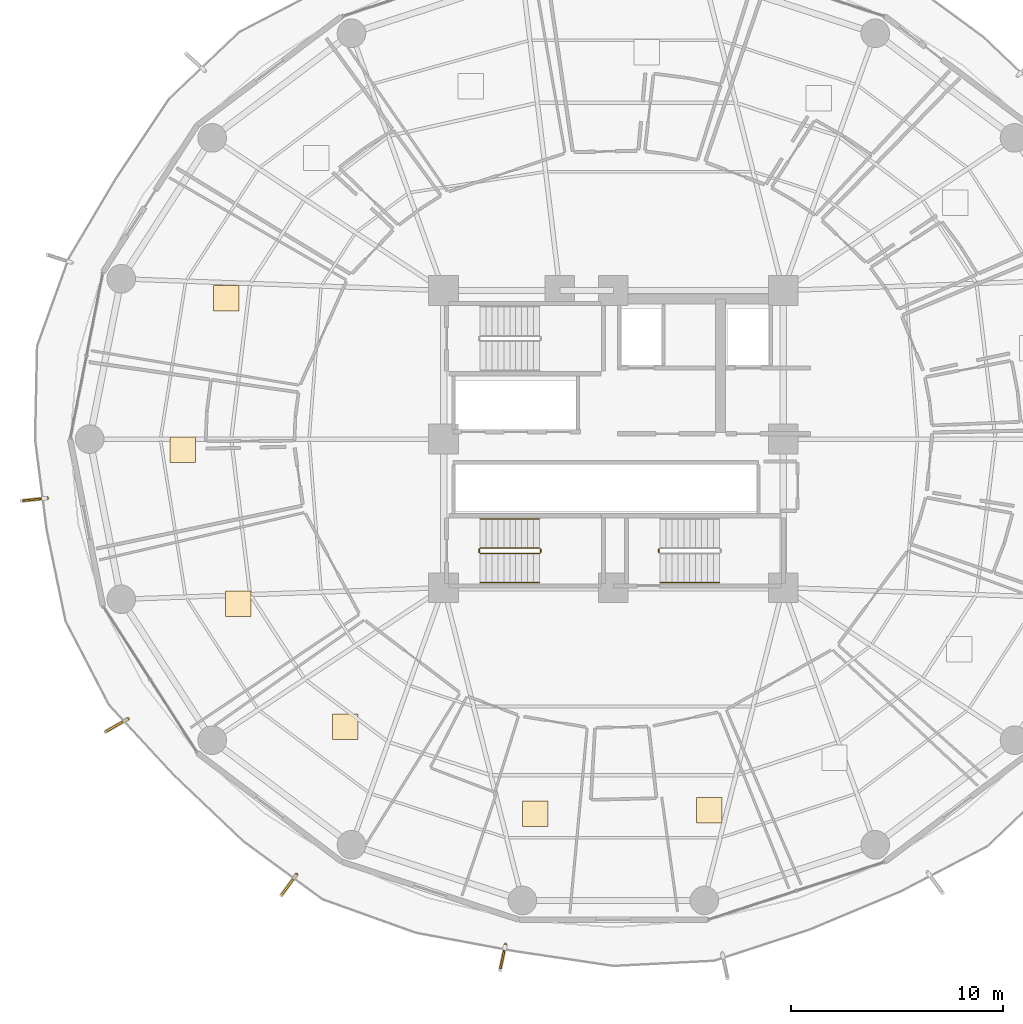
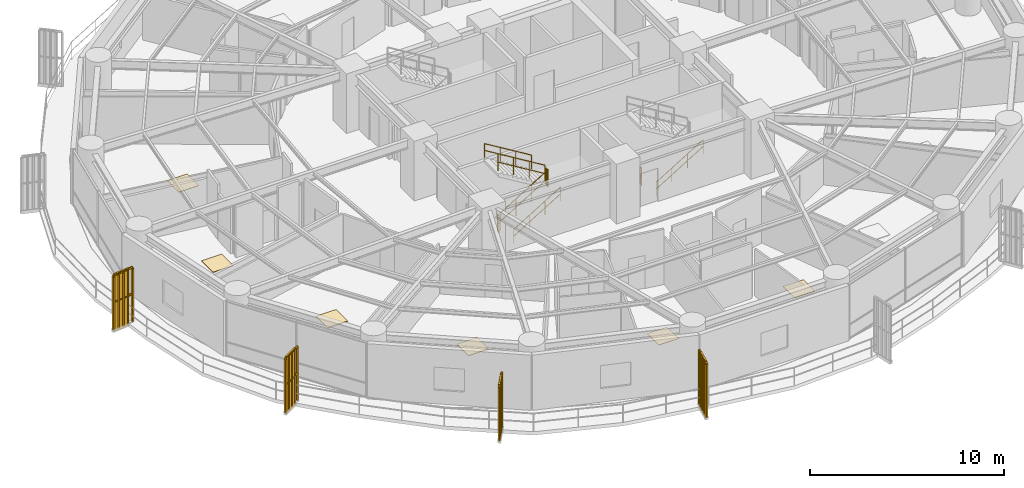
# One storey, part 32 of 35: 12 railings, 6 coverings, 4 shading devices.
"""IFC4 building model written with IfcOpenShell, lengths in metres."""

from ifc_helpers import new_model, si_unit, direction, frame, origin, origin_2d, place, context, subcontext, project, spatial, polyline, rectangle, outline, extrude, source, transform, mapped, material, layer, layer_set, type_object, element, save


model = new_model("IFC4")

# Units and contexts
model_context = context("Model", 3, precision=1e-05, world=origin(), true_north=direction((0.0, 1.0)))
body_context = subcontext(model_context, "Body", "Model", "MODEL_VIEW")
ifc_project = project(units=[si_unit("LENGTHUNIT", "METRE"), si_unit("AREAUNIT", "SQUARE_METRE"), si_unit("VOLUMEUNIT", "CUBIC_METRE"), si_unit("PLANEANGLEUNIT", "RADIAN"), si_unit("MASSUNIT", "GRAM", prefix="KILO")], contexts=[model_context])

# Site, building, storey
site_placement = place(None, origin())
site = spatial("IfcSite", under=ifc_project, at=site_placement, CompositionType="ELEMENT")
building_placement = place(site_placement, origin())
building = spatial("IfcBuilding", under=site, at=building_placement, Name="Kelanora Arch Commons", CompositionType="ELEMENT")
storey_placement = place(building_placement, frame((0.0, 0.0, 91.35009765625)))
storey = spatial("IfcBuildingStorey", under=building, at=storey_placement, Name="L23", CompositionType="ELEMENT", Elevation=91.35009765625)

# Railings
ifc_material_1 = material(Name="Anodised bronze vertical shading fin rib assembly")
railing_type_1 = type_object("IfcRailingType", Name="RAIL-FIN-BRZ", PredefinedType="BALUSTRADE", material=ifc_material_1)
railing_1_placement = place(storey_placement, frame((47.325927734375, 55.21630859375, -0.02001953125)))
element("IfcRailing", 1, at=railing_1_placement, inside=storey, type_object=railing_type_1, Name="Sweeping Bronze Vertical Fin Blade L23-06", PredefinedType="BALUSTRADE", context=body_context, shape_type="SweptSolid", body=[
    extrude(outline(polyline([(0.06982421875, 0.0), (0.034912109375, 0.060546875), (-0.034912109375, 0.060546875), (-0.06982421875, 0.0), (-0.034912109375, -0.060546875), (0.034912109375, -0.060546875), (0.06982421875, 0.0)])), frame((0.0, 0.0, 3.419921875), z_axis=(-0.994585562629, -0.103920924794, 0.0), x_axis=(0.103920924794, -0.994585562629, 0.0)), (0.0, 0.0, 1.0), 1.214599609375),
    extrude(outline(polyline([(0.06982421875, 0.0), (0.034912109375, 0.060546875), (-0.034912109375, 0.060546875), (-0.06982421875, 0.0), (-0.034912109375, -0.060546875), (0.034912109375, -0.060546875), (0.06982421875, 0.0)])), frame((0.0, 0.0, 1.7451171875), z_axis=(-0.994585562629, -0.103920924794, 0.0), x_axis=(0.103920924794, -0.994585562629, 0.0)), (0.0, 0.0, 1.0), 1.214599609375),
    extrude(outline(polyline([(0.080078125, 0.0), (0.0400390625, 0.0693359375), (-0.0400390625, 0.0693359375), (-0.080078125, 0.0), (-0.0400390625, -0.0693359375), (0.0400390625, -0.0693359375), (0.080078125, 0.0)])), origin(), (0.0, 0.0, 1.0), 3.35009765625),
    extrude(outline(polyline([(0.080078125, 0.0), (0.0400390625, 0.0693359375), (-0.0400390625, 0.0693359375), (-0.080078125, 0.0), (-0.0400390625, -0.0693359375), (0.0400390625, -0.0693359375), (0.080078125, 0.0)])), frame((-0.302001953125, -0.031494140625, 0.0)), (0.0, 0.0, 1.0), 3.35009765625),
    extrude(outline(polyline([(0.080078125, 0.0), (0.0400390625, 0.0693359375), (-0.0400390625, 0.0693359375), (-0.080078125, 0.0), (-0.0400390625, -0.0693359375), (0.0400390625, -0.0693359375), (0.080078125, 0.0)])), frame((-0.60400390625, -0.06298828125, 0.0)), (0.0, 0.0, 1.0), 3.35009765625),
    extrude(outline(polyline([(0.080078125, 0.0), (0.0400390625, 0.0693359375), (-0.0400390625, 0.0693359375), (-0.080078125, 0.0), (-0.0400390625, -0.0693359375), (0.0400390625, -0.0693359375), (0.080078125, 0.0)])), frame((-0.906005859375, -0.0947265625, 0.0)), (0.0, 0.0, 1.0), 3.35009765625),
    extrude(outline(polyline([(0.080078125, 0.0), (0.0400390625, 0.0693359375), (-0.0400390625, 0.0693359375), (-0.080078125, 0.0), (-0.0400390625, -0.0693359375), (0.0400390625, -0.0693359375), (0.080078125, 0.0)])), frame((-1.2080078125, -0.126220703125, 0.0)), (0.0, 0.0, 1.0), 3.35009765625),
])
railing_2_placement = place(storey_placement, frame((51.12939453125, 44.818115234375, -0.02001953125)))
element("IfcRailing", 2, at=railing_2_placement, inside=storey, type_object=railing_type_1, Name="Sweeping Bronze Vertical Fin Blade L23-07", PredefinedType="BALUSTRADE", context=body_context, shape_type="SweptSolid", body=[
    extrude(outline(polyline([(0.06982421875, 0.0), (0.034912109375, 0.060546875), (-0.034912109375, 0.060546875), (-0.06982421875, 0.0), (-0.034912109375, -0.060546875), (0.034912109375, -0.060546875), (0.06982421875, 0.0)])), frame((0.0, 0.0, 3.419921875), z_axis=(-0.866319407706, -0.499490424165, 0.0), x_axis=(0.499490424165, -0.866319407706, 0.0)), (0.0, 0.0, 1.0), 1.214599609375),
    extrude(outline(polyline([(0.06982421875, 0.0), (0.034912109375, 0.060546875), (-0.034912109375, 0.060546875), (-0.06982421875, 0.0), (-0.034912109375, -0.060546875), (0.034912109375, -0.060546875), (0.06982421875, 0.0)])), frame((0.0, 0.0, 1.7451171875), z_axis=(-0.866319407706, -0.499490424165, 0.0), x_axis=(0.499490424165, -0.866319407706, 0.0)), (0.0, 0.0, 1.0), 1.214599609375),
    extrude(outline(polyline([(0.080078125, 0.0), (0.0400390625, 0.0693359375), (-0.0400390625, 0.0693359375), (-0.080078125, 0.0), (-0.0400390625, -0.0693359375), (0.0400390625, -0.0693359375), (0.080078125, 0.0)])), origin(), (0.0, 0.0, 1.0), 3.35009765625),
    extrude(outline(polyline([(0.080078125, 0.0), (0.0400390625, 0.0693359375), (-0.0400390625, 0.0693359375), (-0.080078125, 0.0), (-0.0400390625, -0.0693359375), (0.0400390625, -0.0693359375), (0.080078125, 0.0)])), frame((-0.26318359375, -0.151611328125, 0.0)), (0.0, 0.0, 1.0), 3.35009765625),
    extrude(outline(polyline([(0.080078125, 0.0), (0.0400390625, 0.0693359375), (-0.0400390625, 0.0693359375), (-0.080078125, 0.0), (-0.0400390625, -0.0693359375), (0.0400390625, -0.0693359375), (0.080078125, 0.0)])), frame((-0.526123046875, -0.30322265625, 0.0)), (0.0, 0.0, 1.0), 3.35009765625),
    extrude(outline(polyline([(0.080078125, 0.0), (0.0400390625, 0.0693359375), (-0.0400390625, 0.0693359375), (-0.080078125, 0.0), (-0.0400390625, -0.0693359375), (0.0400390625, -0.0693359375), (0.080078125, 0.0)])), frame((-0.7890625, -0.455078125, 0.0)), (0.0, 0.0, 1.0), 3.35009765625),
    extrude(outline(polyline([(0.080078125, 0.0), (0.0400390625, 0.0693359375), (-0.0400390625, 0.0693359375), (-0.080078125, 0.0), (-0.0400390625, -0.0693359375), (0.0400390625, -0.0693359375), (0.080078125, 0.0)])), frame((-1.05224609375, -0.606689453125, 0.0)), (0.0, 0.0, 1.0), 3.35009765625),
])
railing_3_placement = place(storey_placement, frame((59.072021484375, 37.48486328125, -0.02001953125)))
element("IfcRailing", 3, at=railing_3_placement, inside=storey, type_object=railing_type_1, Name="Sweeping Bronze Vertical Fin Blade L23-08", PredefinedType="BALUSTRADE", context=body_context, shape_type="SweptSolid", body=[
    extrude(outline(polyline([(0.06982421875, 0.0), (0.034912109375, 0.060546875), (-0.034912109375, 0.060546875), (-0.06982421875, 0.0), (-0.034912109375, -0.060546875), (0.034912109375, -0.060546875), (0.06982421875, 0.0)])), frame((0.0, 0.0, 3.419921875), z_axis=(-0.588327054403, -0.808623074774, 0.0), x_axis=(0.808623074774, -0.588327054403, 0.0)), (0.0, 0.0, 1.0), 1.214599609375),
    extrude(outline(polyline([(0.06982421875, 0.0), (0.034912109375, 0.060546875), (-0.034912109375, 0.060546875), (-0.06982421875, 0.0), (-0.034912109375, -0.060546875), (0.034912109375, -0.060546875), (0.06982421875, 0.0)])), frame((0.0, 0.0, 1.7451171875), z_axis=(-0.588327054403, -0.808623074774, 0.0), x_axis=(0.808623074774, -0.588327054403, 0.0)), (0.0, 0.0, 1.0), 1.214599609375),
    extrude(outline(polyline([(0.080078125, 0.0), (0.0400390625, 0.0693359375), (-0.0400390625, 0.0693359375), (-0.080078125, 0.0), (-0.0400390625, -0.0693359375), (0.0400390625, -0.0693359375), (0.080078125, 0.0)])), origin(), (0.0, 0.0, 1.0), 3.35009765625),
    extrude(outline(polyline([(0.080078125, 0.0), (0.0400390625, 0.0693359375), (-0.0400390625, 0.0693359375), (-0.080078125, 0.0), (-0.0400390625, -0.0693359375), (0.0400390625, -0.0693359375), (0.080078125, 0.0)])), frame((-0.1787109375, -0.24560546875, 0.0)), (0.0, 0.0, 1.0), 3.35009765625),
    extrude(outline(polyline([(0.080078125, 0.0), (0.0400390625, 0.0693359375), (-0.0400390625, 0.0693359375), (-0.080078125, 0.0), (-0.0400390625, -0.0693359375), (0.0400390625, -0.0693359375), (0.080078125, 0.0)])), frame((-0.357421875, -0.4912109375, 0.0)), (0.0, 0.0, 1.0), 3.35009765625),
    extrude(outline(polyline([(0.080078125, 0.0), (0.0400390625, 0.0693359375), (-0.0400390625, 0.0693359375), (-0.080078125, 0.0), (-0.0400390625, -0.0693359375), (0.0400390625, -0.0693359375), (0.080078125, 0.0)])), frame((-0.535888671875, -0.736572265625, 0.0)), (0.0, 0.0, 1.0), 3.35009765625),
    extrude(outline(polyline([(0.080078125, 0.0), (0.0400390625, 0.0693359375), (-0.0400390625, 0.0693359375), (-0.080078125, 0.0), (-0.0400390625, -0.0693359375), (0.0400390625, -0.0693359375), (0.080078125, 0.0)])), frame((-0.714599609375, -0.982177734375, 0.0)), (0.0, 0.0, 1.0), 3.35009765625),
])
railing_4_placement = place(storey_placement, frame((68.91748046875, 34.175048828125, -0.02001953125)))
element("IfcRailing", 4, at=railing_4_placement, inside=storey, type_object=railing_type_1, Name="Sweeping Bronze Vertical Fin Blade L23-09", PredefinedType="BALUSTRADE", context=body_context, shape_type="SweptSolid", body=[
    extrude(outline(polyline([(0.06982421875, 0.0), (0.034912109375, 0.060546875), (-0.034912109375, 0.060546875), (-0.06982421875, 0.0), (-0.034912109375, -0.060546875), (0.034912109375, -0.060546875), (0.06982421875, 0.0)])), frame((0.0, 0.0, 3.419921875), z_axis=(-0.208471823833, -0.97802837314, 0.0), x_axis=(0.97802837314, -0.208471823833, 0.0)), (0.0, 0.0, 1.0), 1.21435546875),
    extrude(outline(polyline([(0.06982421875, 0.0), (0.034912109375, 0.060546875), (-0.034912109375, 0.060546875), (-0.06982421875, 0.0), (-0.034912109375, -0.060546875), (0.034912109375, -0.060546875), (0.06982421875, 0.0)])), frame((0.0, 0.0, 1.7451171875), z_axis=(-0.208471823833, -0.97802837314, 0.0), x_axis=(0.97802837314, -0.208471823833, 0.0)), (0.0, 0.0, 1.0), 1.21435546875),
    extrude(outline(polyline([(0.080078125, 0.0), (0.0400390625, 0.0693359375), (-0.0400390625, 0.0693359375), (-0.080078125, 0.0), (-0.0400390625, -0.0693359375), (0.0400390625, -0.0693359375), (0.080078125, 0.0)])), origin(), (0.0, 0.0, 1.0), 3.35009765625),
    extrude(outline(polyline([(0.080078125, 0.0), (0.0400390625, 0.0693359375), (-0.0400390625, 0.0693359375), (-0.080078125, 0.0), (-0.0400390625, -0.0693359375), (0.0400390625, -0.0693359375), (0.080078125, 0.0)])), frame((-0.063232421875, -0.296875, 0.0)), (0.0, 0.0, 1.0), 3.35009765625),
    extrude(outline(polyline([(0.080078125, 0.0), (0.0400390625, 0.0693359375), (-0.0400390625, 0.0693359375), (-0.080078125, 0.0), (-0.0400390625, -0.0693359375), (0.0400390625, -0.0693359375), (0.080078125, 0.0)])), frame((-0.12646484375, -0.59375, 0.0)), (0.0, 0.0, 1.0), 3.35009765625),
    extrude(outline(polyline([(0.080078125, 0.0), (0.0400390625, 0.0693359375), (-0.0400390625, 0.0693359375), (-0.080078125, 0.0), (-0.0400390625, -0.0693359375), (0.0400390625, -0.0693359375), (0.080078125, 0.0)])), frame((-0.18994140625, -0.890869140625, 0.0)), (0.0, 0.0, 1.0), 3.35009765625),
    extrude(outline(polyline([(0.080078125, 0.0), (0.0400390625, 0.0693359375), (-0.0400390625, 0.0693359375), (-0.080078125, 0.0), (-0.0400390625, -0.0693359375), (0.0400390625, -0.0693359375), (0.080078125, 0.0)])), frame((-0.253173828125, -1.187744140625, 0.0)), (0.0, 0.0, 1.0), 3.35009765625),
])
ifc_material_2 = material(Name="Painted steel stair well guard", Category="steel")
railing_type_2 = type_object("IfcRailingType", Name="RAIL-STAIR-GRD", PredefinedType="GUARDRAIL", material=ifc_material_2)
railing_5_placement = place(storey_placement, frame((76.14990234375, 52.659912109375, 0.0)))
element("IfcRailing", 5, at=railing_5_placement, inside=storey, type_object=railing_type_2, Name="L23 ST-T2 stair guard 4", PredefinedType="GUARDRAIL", context=body_context, shape_type="SweptSolid", body=[
    extrude(outline(polyline([(0.02392578125, 0.0), (0.011962890625, 0.020751953125), (-0.011962890625, 0.020751953125), (-0.02392578125, 0.0), (-0.011962890625, -0.020751953125), (0.011962890625, -0.020751953125), (0.02392578125, 0.0)])), frame((0.0, 0.0, 1.076171875), z_axis=(0.0, 1.0, 0.0), x_axis=(-1.0, 0.0, 0.0)), (0.0, 0.0, 1.0), 0.150146484375),
    extrude(outline(polyline([(0.02392578125, 0.0), (0.011962890625, 0.020751953125), (-0.011962890625, 0.020751953125), (-0.02392578125, 0.0), (-0.011962890625, -0.020751953125), (0.011962890625, -0.020751953125), (0.02392578125, 0.0)])), frame((0.0, 0.0, 0.550048828125), z_axis=(0.0, 1.0, 0.0), x_axis=(-1.0, 0.0, 0.0)), (0.0, 0.0, 1.0), 0.150146484375),
    extrude(outline(polyline([(0.02099609375, 0.0), (0.010498046875, 0.01806640625), (-0.010498046875, 0.01806640625), (-0.02099609375, 0.0), (-0.010498046875, -0.01806640625), (0.010498046875, -0.01806640625), (0.02099609375, 0.0)])), origin(), (0.0, 0.0, 1.0), 1.052001953125),
    extrude(outline(polyline([(0.02099609375, 0.0), (0.010498046875, 0.01806640625), (-0.010498046875, 0.01806640625), (-0.02099609375, 0.0), (-0.010498046875, -0.01806640625), (0.010498046875, -0.01806640625), (0.02099609375, 0.0)])), frame((0.0, 0.150146484375, 0.0)), (0.0, 0.0, 1.0), 1.052001953125),
])
railing_6_placement = place(storey_placement, frame((67.719970703125, 52.610107421875, 0.17041015625)))
element("IfcRailing", 6, at=railing_6_placement, inside=storey, type_object=railing_type_2, Name="L23 ST-T3 stair guard 1", PredefinedType="GUARDRAIL", context=body_context, shape_type="SweptSolid", body=[
    extrude(outline(polyline([(0.02392578125, 0.0), (0.011962890625, 0.020751953125), (-0.011962890625, 0.020751953125), (-0.02392578125, 0.0), (-0.011962890625, -0.020751953125), (0.011962890625, -0.020751953125), (0.02392578125, 0.0)])), frame((0.0, 0.0, 1.076171875), z_axis=(0.854169791009, 0.0, 0.51999420009), x_axis=(0.0, 1.0, 0.0)), (0.0, 0.0, 1.0), 3.278076171875),
    extrude(outline(polyline([(0.02392578125, 0.0), (0.011962890625, 0.020751953125), (-0.011962890625, 0.020751953125), (-0.02392578125, 0.0), (-0.011962890625, -0.020751953125), (0.011962890625, -0.020751953125), (0.02392578125, 0.0)])), frame((0.0, 0.0, 0.550048828125), z_axis=(0.854169791009, 0.0, 0.51999420009), x_axis=(0.0, 1.0, 0.0)), (0.0, 0.0, 1.0), 3.278076171875),
    extrude(outline(polyline([(0.02099609375, 0.0), (0.010498046875, 0.01806640625), (-0.010498046875, 0.01806640625), (-0.02099609375, 0.0), (-0.010498046875, -0.01806640625), (0.010498046875, -0.01806640625), (0.02099609375, 0.0)])), origin(), (0.0, 0.0, 1.0), 1.052001953125),
    extrude(outline(polyline([(0.02099609375, 0.0), (0.010498046875, 0.01806640625), (-0.010498046875, 0.01806640625), (-0.02099609375, 0.0), (-0.010498046875, -0.01806640625), (0.010498046875, -0.01806640625), (0.02099609375, 0.0)])), frame((0.933349609375, 0.0, 0.568115234375)), (0.0, 0.0, 1.0), 1.052001953125),
    extrude(outline(polyline([(0.02099609375, 0.0), (0.010498046875, 0.01806640625), (-0.010498046875, 0.01806640625), (-0.02099609375, 0.0), (-0.010498046875, -0.01806640625), (0.010498046875, -0.01806640625), (0.02099609375, 0.0)])), frame((1.86669921875, 0.0, 1.136474609375)), (0.0, 0.0, 1.0), 1.052001953125),
    extrude(outline(polyline([(0.02099609375, 0.0), (0.010498046875, 0.01806640625), (-0.010498046875, 0.01806640625), (-0.02099609375, 0.0), (-0.010498046875, -0.01806640625), (0.010498046875, -0.01806640625), (0.02099609375, 0.0)])), frame((2.800048828125, 0.0, 1.70458984375)), (0.0, 0.0, 1.0), 1.052001953125),
])
railing_7_placement = place(storey_placement, frame((70.570068359375, 52.659912109375, 1.875)))
element("IfcRailing", 7, at=railing_7_placement, inside=storey, type_object=railing_type_2, Name="L23 ST-T3 stair guard 2", PredefinedType="GUARDRAIL", context=body_context, shape_type="SweptSolid", body=[
    extrude(outline(polyline([(0.02392578125, 0.0), (0.011962890625, 0.020751953125), (-0.011962890625, 0.020751953125), (-0.02392578125, 0.0), (-0.011962890625, -0.020751953125), (0.011962890625, -0.020751953125), (0.02392578125, 0.0)])), frame((0.0, 0.0, 1.076171875), z_axis=(0.0, 1.0, 0.0), x_axis=(-1.0, 0.0, 0.0)), (0.0, 0.0, 1.0), 0.150146484375),
    extrude(outline(polyline([(0.02392578125, 0.0), (0.011962890625, 0.020751953125), (-0.011962890625, 0.020751953125), (-0.02392578125, 0.0), (-0.011962890625, -0.020751953125), (0.011962890625, -0.020751953125), (0.02392578125, 0.0)])), frame((0.0, 0.0, 0.550048828125), z_axis=(0.0, 1.0, 0.0), x_axis=(-1.0, 0.0, 0.0)), (0.0, 0.0, 1.0), 0.150146484375),
    extrude(outline(polyline([(0.02099609375, 0.0), (0.010498046875, 0.01806640625), (-0.010498046875, 0.01806640625), (-0.02099609375, 0.0), (-0.010498046875, -0.01806640625), (0.010498046875, -0.01806640625), (0.02099609375, 0.0)])), origin(), (0.0, 0.0, 1.0), 1.052001953125),
    extrude(outline(polyline([(0.02099609375, 0.0), (0.010498046875, 0.01806640625), (-0.010498046875, 0.01806640625), (-0.02099609375, 0.0), (-0.010498046875, -0.01806640625), (0.010498046875, -0.01806640625), (0.02099609375, 0.0)])), frame((0.0, 0.150146484375, 0.0)), (0.0, 0.0, 1.0), 1.052001953125),
])
railing_8_placement = place(storey_placement, frame((70.52001953125, 52.860107421875, 2.04541015625)))
element("IfcRailing", 8, at=railing_8_placement, inside=storey, type_object=railing_type_2, Name="L23 ST-T3 stair guard 3", PredefinedType="GUARDRAIL", context=body_context, shape_type="SweptSolid", body=[
    extrude(outline(polyline([(0.02392578125, 0.0), (0.011962890625, 0.020751953125), (-0.011962890625, 0.020751953125), (-0.02392578125, 0.0), (-0.011962890625, -0.020751953125), (0.011962890625, -0.020751953125), (0.02392578125, 0.0)])), frame((0.0, 0.0, 1.076171875), z_axis=(-0.854169791009, 0.0, 0.51999420009), x_axis=(0.0, -1.0, 0.0)), (0.0, 0.0, 1.0), 3.278076171875),
    extrude(outline(polyline([(0.02392578125, 0.0), (0.011962890625, 0.020751953125), (-0.011962890625, 0.020751953125), (-0.02392578125, 0.0), (-0.011962890625, -0.020751953125), (0.011962890625, -0.020751953125), (0.02392578125, 0.0)])), frame((0.0, 0.0, 0.550048828125), z_axis=(-0.854169791009, 0.0, 0.51999420009), x_axis=(0.0, -1.0, 0.0)), (0.0, 0.0, 1.0), 3.278076171875),
    extrude(outline(polyline([(0.02099609375, 0.0), (0.010498046875, 0.01806640625), (-0.010498046875, 0.01806640625), (-0.02099609375, 0.0), (-0.010498046875, -0.01806640625), (0.010498046875, -0.01806640625), (0.02099609375, 0.0)])), origin(), (0.0, 0.0, 1.0), 1.052001953125),
    extrude(outline(polyline([(0.02099609375, 0.0), (0.010498046875, 0.01806640625), (-0.010498046875, 0.01806640625), (-0.02099609375, 0.0), (-0.010498046875, -0.01806640625), (0.010498046875, -0.01806640625), (0.02099609375, 0.0)])), frame((-0.933349609375, 0.0, 0.568115234375)), (0.0, 0.0, 1.0), 1.052001953125),
    extrude(outline(polyline([(0.02099609375, 0.0), (0.010498046875, 0.01806640625), (-0.010498046875, 0.01806640625), (-0.02099609375, 0.0), (-0.010498046875, -0.01806640625), (0.010498046875, -0.01806640625), (0.02099609375, 0.0)])), frame((-1.86669921875, 0.0, 1.136474609375)), (0.0, 0.0, 1.0), 1.052001953125),
    extrude(outline(polyline([(0.02099609375, 0.0), (0.010498046875, 0.01806640625), (-0.010498046875, 0.01806640625), (-0.02099609375, 0.0), (-0.010498046875, -0.01806640625), (0.010498046875, -0.01806640625), (0.02099609375, 0.0)])), frame((-2.800048828125, 0.0, 1.70458984375)), (0.0, 0.0, 1.0), 1.052001953125),
])
railing_9_placement = place(storey_placement, frame((67.669921875, 52.659912109375, 0.0)))
element("IfcRailing", 9, at=railing_9_placement, inside=storey, type_object=railing_type_2, Name="L23 ST-T3 stair guard 4", PredefinedType="GUARDRAIL", context=body_context, shape_type="SweptSolid", body=[
    extrude(outline(polyline([(0.02392578125, 0.0), (0.011962890625, 0.020751953125), (-0.011962890625, 0.020751953125), (-0.02392578125, 0.0), (-0.011962890625, -0.020751953125), (0.011962890625, -0.020751953125), (0.02392578125, 0.0)])), frame((0.0, 0.0, 1.076171875), z_axis=(0.0, 1.0, 0.0), x_axis=(-1.0, 0.0, 0.0)), (0.0, 0.0, 1.0), 0.150146484375),
    extrude(outline(polyline([(0.02392578125, 0.0), (0.011962890625, 0.020751953125), (-0.011962890625, 0.020751953125), (-0.02392578125, 0.0), (-0.011962890625, -0.020751953125), (0.011962890625, -0.020751953125), (0.02392578125, 0.0)])), frame((0.0, 0.0, 0.550048828125), z_axis=(0.0, 1.0, 0.0), x_axis=(-1.0, 0.0, 0.0)), (0.0, 0.0, 1.0), 0.150146484375),
    extrude(outline(polyline([(0.02099609375, 0.0), (0.010498046875, 0.01806640625), (-0.010498046875, 0.01806640625), (-0.02099609375, 0.0), (-0.010498046875, -0.01806640625), (0.010498046875, -0.01806640625), (0.02099609375, 0.0)])), origin(), (0.0, 0.0, 1.0), 1.052001953125),
    extrude(outline(polyline([(0.02099609375, 0.0), (0.010498046875, 0.01806640625), (-0.010498046875, 0.01806640625), (-0.02099609375, 0.0), (-0.010498046875, -0.01806640625), (0.010498046875, -0.01806640625), (0.02099609375, 0.0)])), frame((0.0, 0.150146484375, 0.0)), (0.0, 0.0, 1.0), 1.052001953125),
])
ifc_material_3 = material(Name="Brushed stainless steel stair handrail", Category="steel")
railing_type_3 = type_object("IfcRailingType", Name="RAIL-STAIR-HND", PredefinedType="HANDRAIL", material=ifc_material_3)
railing_10_placement = place(storey_placement, frame((76.199951171875, 51.22998046875, 0.17041015625)))
element("IfcRailing", 10, at=railing_10_placement, inside=storey, type_object=railing_type_3, Name="L23 ST-T2 stair handrail 1", PredefinedType="HANDRAIL", context=body_context, shape_type="SweptSolid", body=[
    extrude(outline(polyline([(0.02392578125, 0.0), (0.011962890625, 0.020751953125), (-0.011962890625, 0.020751953125), (-0.02392578125, 0.0), (-0.011962890625, -0.020751953125), (0.011962890625, -0.020751953125), (0.02392578125, 0.0)])), frame((0.0, 0.0, 0.8759765625), z_axis=(0.854169791009, 0.0, 0.51999420009), x_axis=(0.0, 1.0, 0.0)), (0.0, 0.0, 1.0), 3.278076171875),
    extrude(outline(polyline([(0.02392578125, 0.0), (0.011962890625, 0.020751953125), (-0.011962890625, 0.020751953125), (-0.02392578125, 0.0), (-0.011962890625, -0.020751953125), (0.011962890625, -0.020751953125), (0.02392578125, 0.0)])), frame((0.0, 0.0, 0.449951171875), z_axis=(0.854169791009, 0.0, 0.51999420009), x_axis=(0.0, 1.0, 0.0)), (0.0, 0.0, 1.0), 3.278076171875),
    extrude(outline(polyline([(0.02099609375, 0.0), (0.010498046875, 0.01806640625), (-0.010498046875, 0.01806640625), (-0.02099609375, 0.0), (-0.010498046875, -0.01806640625), (0.010498046875, -0.01806640625), (0.02099609375, 0.0)])), origin(), (0.0, 0.0, 1.0), 0.851806640625),
    extrude(outline(polyline([(0.02099609375, 0.0), (0.010498046875, 0.01806640625), (-0.010498046875, 0.01806640625), (-0.02099609375, 0.0), (-0.010498046875, -0.01806640625), (0.010498046875, -0.01806640625), (0.02099609375, 0.0)])), frame((0.933349609375, 0.0, 0.568115234375)), (0.0, 0.0, 1.0), 0.851806640625),
    extrude(outline(polyline([(0.02099609375, 0.0), (0.010498046875, 0.01806640625), (-0.010498046875, 0.01806640625), (-0.02099609375, 0.0), (-0.010498046875, -0.01806640625), (0.010498046875, -0.01806640625), (0.02099609375, 0.0)])), frame((1.86669921875, 0.0, 1.136474609375)), (0.0, 0.0, 1.0), 0.851806640625),
    extrude(outline(polyline([(0.02099609375, 0.0), (0.010498046875, 0.01806640625), (-0.010498046875, 0.01806640625), (-0.02099609375, 0.0), (-0.010498046875, -0.01806640625), (0.010498046875, -0.01806640625), (0.02099609375, 0.0)])), frame((2.800048828125, 0.0, 1.70458984375)), (0.0, 0.0, 1.0), 0.851806640625),
])
railing_11_placement = place(storey_placement, frame((67.719970703125, 51.22998046875, 0.17041015625)))
element("IfcRailing", 11, at=railing_11_placement, inside=storey, type_object=railing_type_3, Name="L23 ST-T3 stair handrail 1", PredefinedType="HANDRAIL", context=body_context, shape_type="SweptSolid", body=[
    extrude(outline(polyline([(0.02392578125, 0.0), (0.011962890625, 0.020751953125), (-0.011962890625, 0.020751953125), (-0.02392578125, 0.0), (-0.011962890625, -0.020751953125), (0.011962890625, -0.020751953125), (0.02392578125, 0.0)])), frame((0.0, 0.0, 0.8759765625), z_axis=(0.854169791009, 0.0, 0.51999420009), x_axis=(0.0, 1.0, 0.0)), (0.0, 0.0, 1.0), 3.278076171875),
    extrude(outline(polyline([(0.02392578125, 0.0), (0.011962890625, 0.020751953125), (-0.011962890625, 0.020751953125), (-0.02392578125, 0.0), (-0.011962890625, -0.020751953125), (0.011962890625, -0.020751953125), (0.02392578125, 0.0)])), frame((0.0, 0.0, 0.449951171875), z_axis=(0.854169791009, 0.0, 0.51999420009), x_axis=(0.0, 1.0, 0.0)), (0.0, 0.0, 1.0), 3.278076171875),
    extrude(outline(polyline([(0.02099609375, 0.0), (0.010498046875, 0.01806640625), (-0.010498046875, 0.01806640625), (-0.02099609375, 0.0), (-0.010498046875, -0.01806640625), (0.010498046875, -0.01806640625), (0.02099609375, 0.0)])), origin(), (0.0, 0.0, 1.0), 0.851806640625),
    extrude(outline(polyline([(0.02099609375, 0.0), (0.010498046875, 0.01806640625), (-0.010498046875, 0.01806640625), (-0.02099609375, 0.0), (-0.010498046875, -0.01806640625), (0.010498046875, -0.01806640625), (0.02099609375, 0.0)])), frame((0.933349609375, 0.0, 0.568115234375)), (0.0, 0.0, 1.0), 0.851806640625),
    extrude(outline(polyline([(0.02099609375, 0.0), (0.010498046875, 0.01806640625), (-0.010498046875, 0.01806640625), (-0.02099609375, 0.0), (-0.010498046875, -0.01806640625), (0.010498046875, -0.01806640625), (0.02099609375, 0.0)])), frame((1.86669921875, 0.0, 1.136474609375)), (0.0, 0.0, 1.0), 0.851806640625),
    extrude(outline(polyline([(0.02099609375, 0.0), (0.010498046875, 0.01806640625), (-0.010498046875, 0.01806640625), (-0.02099609375, 0.0), (-0.010498046875, -0.01806640625), (0.010498046875, -0.01806640625), (0.02099609375, 0.0)])), frame((2.800048828125, 0.0, 1.70458984375)), (0.0, 0.0, 1.0), 0.851806640625),
])
railing_12_placement = place(storey_placement, frame((70.52001953125, 54.239990234375, 2.04541015625)))
element("IfcRailing", 12, at=railing_12_placement, inside=storey, type_object=railing_type_3, Name="L23 ST-T3 stair handrail 2", PredefinedType="HANDRAIL", context=body_context, shape_type="SweptSolid", body=[
    extrude(outline(polyline([(0.02392578125, 0.0), (0.011962890625, 0.020751953125), (-0.011962890625, 0.020751953125), (-0.02392578125, 0.0), (-0.011962890625, -0.020751953125), (0.011962890625, -0.020751953125), (0.02392578125, 0.0)])), frame((0.0, 0.0, 0.8759765625), z_axis=(-0.854169791009, 0.0, 0.51999420009), x_axis=(0.0, -1.0, 0.0)), (0.0, 0.0, 1.0), 3.278076171875),
    extrude(outline(polyline([(0.02392578125, 0.0), (0.011962890625, 0.020751953125), (-0.011962890625, 0.020751953125), (-0.02392578125, 0.0), (-0.011962890625, -0.020751953125), (0.011962890625, -0.020751953125), (0.02392578125, 0.0)])), frame((0.0, 0.0, 0.449951171875), z_axis=(-0.854169791009, 0.0, 0.51999420009), x_axis=(0.0, -1.0, 0.0)), (0.0, 0.0, 1.0), 3.278076171875),
    extrude(outline(polyline([(0.02099609375, 0.0), (0.010498046875, 0.01806640625), (-0.010498046875, 0.01806640625), (-0.02099609375, 0.0), (-0.010498046875, -0.01806640625), (0.010498046875, -0.01806640625), (0.02099609375, 0.0)])), origin(), (0.0, 0.0, 1.0), 0.851806640625),
    extrude(outline(polyline([(0.02099609375, 0.0), (0.010498046875, 0.01806640625), (-0.010498046875, 0.01806640625), (-0.02099609375, 0.0), (-0.010498046875, -0.01806640625), (0.010498046875, -0.01806640625), (0.02099609375, 0.0)])), frame((-0.933349609375, 0.0, 0.568115234375)), (0.0, 0.0, 1.0), 0.851806640625),
    extrude(outline(polyline([(0.02099609375, 0.0), (0.010498046875, 0.01806640625), (-0.010498046875, 0.01806640625), (-0.02099609375, 0.0), (-0.010498046875, -0.01806640625), (0.010498046875, -0.01806640625), (0.02099609375, 0.0)])), frame((-1.86669921875, 0.0, 1.136474609375)), (0.0, 0.0, 1.0), 0.851806640625),
    extrude(outline(polyline([(0.02099609375, 0.0), (0.010498046875, 0.01806640625), (-0.010498046875, 0.01806640625), (-0.02099609375, 0.0), (-0.010498046875, -0.01806640625), (0.010498046875, -0.01806640625), (0.02099609375, 0.0)])), frame((-2.800048828125, 0.0, 1.70458984375)), (0.0, 0.0, 1.0), 0.851806640625),
])

# Shading devices
ifc_material_4 = material(Name="Terracotta ceramic-clad extruded aluminium fin", Category="masonry")
shading_device_type = type_object("IfcShadingDeviceType", Name="SHD-FIN-FLARE", PredefinedType="USERDEFINED", material=ifc_material_4)
shared_shape_1 = source(origin(), body_context, "Body", "SweptSolid", [
    extrude(rectangle(XDim=0.8798828125, YDim=0.090087890625, at=origin_2d()), origin(), (0.0, 0.0, 1.0), 3.610107421875),
])
for number, where, z_axis, x_axis, name in (
    (13, (46.60986328125, 55.1416015625, -0.14013671875), (0.0, 0.0, 1.0), (-0.994594627637, -0.103834130589, 0.0), "Sweeping Terracotta Fin L23-06"),
    (14, (50.505615234375, 44.45849609375, -0.14013671875), (0.0, 0.0, 1.0), (-0.866374258561, -0.499395278414, 0.0), "Sweeping Terracotta Fin L23-07"),
    (15, (58.648193359375, 36.902587890625, -0.14013671875), (0.0, 0.0, 1.0), (-0.588349909417, -0.808606445738, 0.0), "Sweeping Terracotta Fin L23-08"),
    (16, (68.767333984375, 33.470947265625, -0.14013671875), (0.0, 0.0, 1.0), (-0.208594515944, -0.978002212635, 0.0), "Sweeping Terracotta Fin L23-09"),
):
    element("IfcShadingDevice", number, at=place(storey_placement, frame(where, z_axis=z_axis, x_axis=x_axis)), inside=storey, type_object=shading_device_type, Name=name, ObjectType="FIN", PredefinedType="USERDEFINED", context=body_context, shape_type="MappedRepresentation", body=[
        mapped(shared_shape_1, transform((0.0, 0.0, 0.0), scale=1.0)),
    ])

# Coverings
ifc_material_5 = material(Name="Polished local granite terrazzo flooring", Category="masonry")
ifc_layer = layer(ifc_material_5, 0.030029296875)
ifc_layer_set = layer_set([ifc_layer], Name="Polished local granite terrazzo flooring")
covering_type = type_object("IfcCoveringType", Name="COV-FLR-TER", PredefinedType="FLOORING", material=ifc_layer_set)
shared_shape_2 = source(origin(), body_context, "Body", "SweptSolid", [
    extrude(rectangle(XDim=1.199951171875, YDim=1.199951171875, at=origin_2d()), origin(), (0.0, 0.0, 1.0), 0.030029296875),
])
for number, where, z_axis, x_axis, name in (
    (17, (55.765625, 64.632568359375, 0.0), (0.0, 0.0, 1.0), (1.0, 0.0, 0.0), "Social Sky Lounge L23-06 Terrazzo Finish"),
    (18, (53.69775390625, 57.505126953125, 0.0), (0.0, 0.0, 1.0), (1.0, 0.0, 0.0), "Co-Living Studio L23-07 Terrazzo Finish"),
    (19, (56.32421875, 50.238525390625, 0.0), (0.0, 0.0, 1.0), (1.0, 0.0, 0.0), "Quiet Seminar Study Room L23-08 Terrazzo Finish"),
    (20, (61.35888671875, 44.437255859375, 0.0), (0.0, 0.0, 1.0), (1.0, 0.0, 0.0), "Communal Dining and Social Hall L23-09 Terrazzo Finish"),
    (21, (70.3212890625, 40.349853515625, 0.0), (0.0, 0.0, 1.0), (1.0, 0.0, 0.0), "Quiet Reading Carrel L23-10 Terrazzo Finish"),
    (22, (78.526611328125, 40.5185546875, 0.0), (0.0, 0.0, 1.0), (1.0, 0.0, 0.0), "Tutorial Study Alcove L23-11 Terrazzo Finish"),
):
    element("IfcCovering", number, at=place(storey_placement, frame(where, z_axis=z_axis, x_axis=x_axis)), inside=storey, type_object=covering_type, Name=name, PredefinedType="FLOORING", context=body_context, shape_type="MappedRepresentation", body=[
        mapped(shared_shape_2, transform((0.0, 0.0, 0.0), scale=1.0)),
    ])

save(model, "model.ifc")
